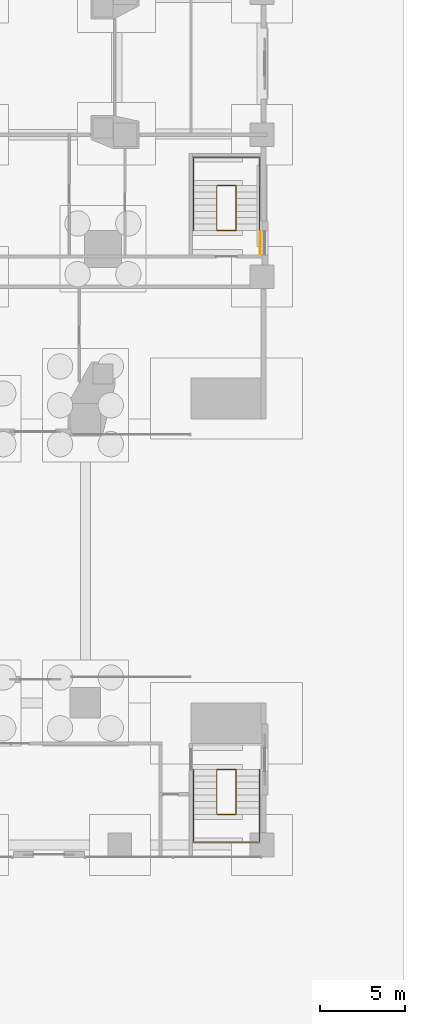
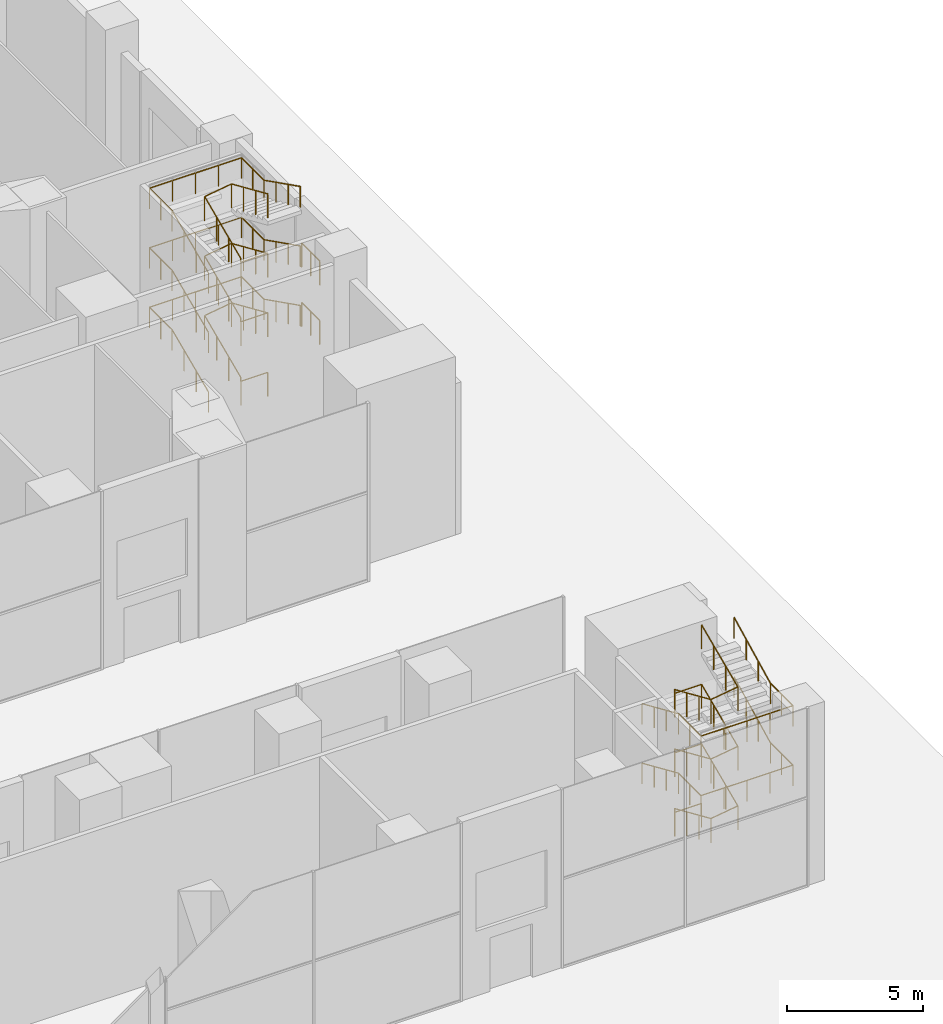
# One storey, part 28 of 31: 13 railings.
"""IFC4 building model written with IfcOpenShell, lengths in metres."""

from ifc_helpers import new_model, si_unit, direction, frame, origin, origin_2d, place, context, subcontext, project, spatial, circle, extrude, material, type_object, element, save


model = new_model("IFC4")

# Units and contexts
model_context = context("Model", 3, precision=1e-05, world=origin(), true_north=direction((0.0, 1.0)))
body_context = subcontext(model_context, "Body", "Model", "MODEL_VIEW")
ifc_project = project(units=[si_unit("LENGTHUNIT", "METRE"), si_unit("AREAUNIT", "SQUARE_METRE"), si_unit("VOLUMEUNIT", "CUBIC_METRE"), si_unit("PLANEANGLEUNIT", "RADIAN"), si_unit("MASSUNIT", "GRAM", prefix="KILO")], contexts=[model_context])

# Site, building, storey
site_placement = place(None, origin())
site = spatial("IfcSite", under=ifc_project, at=site_placement, CompositionType="ELEMENT")
building_placement = place(site_placement, origin())
building = spatial("IfcBuilding", under=site, at=building_placement, Name="Marenta Gate Hotel Tower", CompositionType="ELEMENT")
storey_placement = place(building_placement, origin())
storey = spatial("IfcBuildingStorey", under=building, at=storey_placement, Name="L00", CompositionType="ELEMENT", Elevation=0.0)

# Railings
ifc_material_1 = material(Name="Stainless steel", Category="steel")
railing_type_1 = type_object("IfcRailingType", Name="Core stair handrail 950", PredefinedType="HANDRAIL", material=ifc_material_1)
railing_1_placement = place(storey_placement, frame((33.75, -20.72998046875, 2.833251953125)))
element("IfcRailing", 1, at=railing_1_placement, inside=storey, type_object=railing_type_1, Name="HR-950 L00-KR-PX2-5", PredefinedType="HANDRAIL", context=body_context, shape_type="SweptSolid", body=[
    extrude(circle(Radius=0.02392578125, at=origin_2d()), frame((0.0, 0.0, 0.92578125), z_axis=(0.0, -0.915773020194, 0.401696123314), x_axis=(1.0, 0.0, 0.0)), (0.0, 0.0, 1.0), 2.904541015625),
    extrude(circle(Radius=0.02392578125, at=origin_2d()), frame((0.0, -2.659912109375, 2.0927734375), z_axis=(0.0, -1.0, 0.0), x_axis=(1.0, 0.0, 0.0)), (0.0, 0.0, 1.0), 1.66015625),
    extrude(circle(Radius=0.02392578125, at=origin_2d()), frame((0.0, -4.320068359375, 2.0927734375), z_axis=(1.0, 0.0, 0.0), x_axis=(0.0, 1.0, 0.0)), (0.0, 0.0, 1.0), 3.89990234375),
    extrude(circle(Radius=0.02392578125, at=origin_2d()), frame((3.89990234375, -4.320068359375, 2.0927734375), z_axis=(0.0, 1.0, 0.0), x_axis=(-1.0, 0.0, 0.0)), (0.0, 0.0, 1.0), 1.66015625),
    extrude(circle(Radius=0.02392578125, at=origin_2d()), frame((3.89990234375, -2.659912109375, 2.0927734375), z_axis=(0.0, 0.893983657746, 0.448099564475), x_axis=(-1.0, 0.0, 0.0)), (0.0, 0.0, 1.0), 2.975341796875),
    extrude(circle(Radius=0.02099609375, at=origin_2d()), origin(), (0.0, 0.0, 1.0), 0.90185546875),
    extrude(circle(Radius=0.02099609375, at=origin_2d()), frame((0.0, -0.88671875, 0.388916015625)), (0.0, 0.0, 1.0), 0.90185546875),
    extrude(circle(Radius=0.02099609375, at=origin_2d()), frame((0.0, -1.773193359375, 0.77783203125)), (0.0, 0.0, 1.0), 0.90185546875),
    extrude(circle(Radius=0.02099609375, at=origin_2d()), frame((0.0, -2.659912109375, 1.166748046875)), (0.0, 0.0, 1.0), 0.90185546875),
    extrude(circle(Radius=0.02099609375, at=origin_2d()), frame((0.0, -3.489990234375, 1.166748046875)), (0.0, 0.0, 1.0), 0.90185546875),
    extrude(circle(Radius=0.02099609375, at=origin_2d()), frame((0.0, -4.320068359375, 1.166748046875)), (0.0, 0.0, 1.0), 0.90185546875),
    extrude(circle(Radius=0.02099609375, at=origin_2d()), frame((0.97509765625, -4.320068359375, 1.166748046875)), (0.0, 0.0, 1.0), 0.90185546875),
    extrude(circle(Radius=0.02099609375, at=origin_2d()), frame((1.949951171875, -4.320068359375, 1.166748046875)), (0.0, 0.0, 1.0), 0.90185546875),
    extrude(circle(Radius=0.02099609375, at=origin_2d()), frame((2.9248046875, -4.320068359375, 1.166748046875)), (0.0, 0.0, 1.0), 0.90185546875),
    extrude(circle(Radius=0.02099609375, at=origin_2d()), frame((3.89990234375, -4.320068359375, 1.166748046875)), (0.0, 0.0, 1.0), 0.90185546875),
    extrude(circle(Radius=0.02099609375, at=origin_2d()), frame((3.89990234375, -3.489990234375, 1.166748046875)), (0.0, 0.0, 1.0), 0.90185546875),
    extrude(circle(Radius=0.02099609375, at=origin_2d()), frame((3.89990234375, -2.659912109375, 1.166748046875)), (0.0, 0.0, 1.0), 0.90185546875),
    extrude(circle(Radius=0.02099609375, at=origin_2d()), frame((3.89990234375, -1.773193359375, 1.611083984375)), (0.0, 0.0, 1.0), 0.90185546875),
    extrude(circle(Radius=0.02099609375, at=origin_2d()), frame((3.89990234375, -0.88671875, 2.0556640625)), (0.0, 0.0, 1.0), 0.90185546875),
    extrude(circle(Radius=0.02099609375, at=origin_2d()), frame((3.89990234375, 0.0, 2.5)), (0.0, 0.0, 1.0), 0.90185546875),
])
railing_2_placement = place(storey_placement, frame((33.75, -20.72998046875, 5.5)))
element("IfcRailing", 2, at=railing_2_placement, inside=storey, type_object=railing_type_1, Name="HR-950 L00-KR-PX2-8", PredefinedType="HANDRAIL", context=body_context, shape_type="SweptSolid", body=[
    extrude(circle(Radius=0.02392578125, at=origin_2d()), frame((0.0, 0.0, 0.92578125), z_axis=(0.0, -0.915773020194, 0.401696123314), x_axis=(1.0, 0.0, 0.0)), (0.0, 0.0, 1.0), 2.904541015625),
    extrude(circle(Radius=0.02392578125, at=origin_2d()), frame((0.0, -2.659912109375, 2.0927734375), z_axis=(0.0, -1.0, 0.0), x_axis=(1.0, 0.0, 0.0)), (0.0, 0.0, 1.0), 1.66015625),
    extrude(circle(Radius=0.02392578125, at=origin_2d()), frame((0.0, -4.320068359375, 2.0927734375), z_axis=(1.0, 0.0, 0.0), x_axis=(0.0, 1.0, 0.0)), (0.0, 0.0, 1.0), 3.89990234375),
    extrude(circle(Radius=0.02392578125, at=origin_2d()), frame((3.89990234375, -4.320068359375, 2.0927734375), z_axis=(0.0, 1.0, 0.0), x_axis=(-1.0, 0.0, 0.0)), (0.0, 0.0, 1.0), 1.66015625),
    extrude(circle(Radius=0.02392578125, at=origin_2d()), frame((3.89990234375, -2.659912109375, 2.0927734375), z_axis=(0.0, 0.893983657746, 0.448099564475), x_axis=(-1.0, 0.0, 0.0)), (0.0, 0.0, 1.0), 2.975341796875),
    extrude(circle(Radius=0.02099609375, at=origin_2d()), origin(), (0.0, 0.0, 1.0), 0.90185546875),
    extrude(circle(Radius=0.02099609375, at=origin_2d()), frame((0.0, -0.88671875, 0.388916015625)), (0.0, 0.0, 1.0), 0.90185546875),
    extrude(circle(Radius=0.02099609375, at=origin_2d()), frame((0.0, -1.773193359375, 0.77783203125)), (0.0, 0.0, 1.0), 0.90185546875),
    extrude(circle(Radius=0.02099609375, at=origin_2d()), frame((0.0, -2.659912109375, 1.166748046875)), (0.0, 0.0, 1.0), 0.90185546875),
    extrude(circle(Radius=0.02099609375, at=origin_2d()), frame((0.0, -3.489990234375, 1.166748046875)), (0.0, 0.0, 1.0), 0.90185546875),
    extrude(circle(Radius=0.02099609375, at=origin_2d()), frame((0.0, -4.320068359375, 1.166748046875)), (0.0, 0.0, 1.0), 0.90185546875),
    extrude(circle(Radius=0.02099609375, at=origin_2d()), frame((0.97509765625, -4.320068359375, 1.166748046875)), (0.0, 0.0, 1.0), 0.90185546875),
    extrude(circle(Radius=0.02099609375, at=origin_2d()), frame((1.949951171875, -4.320068359375, 1.166748046875)), (0.0, 0.0, 1.0), 0.90185546875),
    extrude(circle(Radius=0.02099609375, at=origin_2d()), frame((2.9248046875, -4.320068359375, 1.166748046875)), (0.0, 0.0, 1.0), 0.90185546875),
    extrude(circle(Radius=0.02099609375, at=origin_2d()), frame((3.89990234375, -4.320068359375, 1.166748046875)), (0.0, 0.0, 1.0), 0.90185546875),
    extrude(circle(Radius=0.02099609375, at=origin_2d()), frame((3.89990234375, -3.489990234375, 1.166748046875)), (0.0, 0.0, 1.0), 0.90185546875),
    extrude(circle(Radius=0.02099609375, at=origin_2d()), frame((3.89990234375, -2.659912109375, 1.166748046875)), (0.0, 0.0, 1.0), 0.90185546875),
    extrude(circle(Radius=0.02099609375, at=origin_2d()), frame((3.89990234375, -1.773193359375, 1.611083984375)), (0.0, 0.0, 1.0), 0.90185546875),
    extrude(circle(Radius=0.02099609375, at=origin_2d()), frame((3.89990234375, -0.88671875, 2.0556640625)), (0.0, 0.0, 1.0), 0.90185546875),
    extrude(circle(Radius=0.02099609375, at=origin_2d()), frame((3.89990234375, 0.0, 2.5)), (0.0, 0.0, 1.0), 0.90185546875),
])
railing_3_placement = place(storey_placement, frame((33.75, 11.1298828125, 0.166748046875)))
element("IfcRailing", 3, at=railing_3_placement, inside=storey, type_object=railing_type_1, Name="HR-950 L00-KR-PX7-2", PredefinedType="HANDRAIL", context=body_context, shape_type="SweptSolid", body=[
    extrude(circle(Radius=0.02392578125, at=origin_2d()), frame((0.0, 0.0, 0.92578125), z_axis=(0.0, 0.915817496131, 0.401594713337), x_axis=(-1.0, 0.0, 0.0)), (0.0, 0.0, 1.0), 2.90478515625),
    extrude(circle(Radius=0.02392578125, at=origin_2d()), frame((0.0, 2.66015625, 2.09228515625), z_axis=(0.0, 1.0, 0.0), x_axis=(-1.0, 0.0, 0.0)), (0.0, 0.0, 1.0), 1.659912109375),
    extrude(circle(Radius=0.02392578125, at=origin_2d()), frame((0.0, 4.320068359375, 2.09228515625), z_axis=(1.0, 0.0, 0.0), x_axis=(0.0, 1.0, 0.0)), (0.0, 0.0, 1.0), 3.89990234375),
    extrude(circle(Radius=0.02392578125, at=origin_2d()), frame((3.89990234375, 4.320068359375, 2.09228515625), z_axis=(0.0, -1.0, 0.0), x_axis=(1.0, 0.0, 0.0)), (0.0, 0.0, 1.0), 1.659912109375),
    extrude(circle(Radius=0.02392578125, at=origin_2d()), frame((3.89990234375, 2.66015625, 2.09228515625), z_axis=(0.0, -0.893967264428, 0.448132268567), x_axis=(1.0, 0.0, 0.0)), (0.0, 0.0, 1.0), 2.9755859375),
    extrude(circle(Radius=0.02099609375, at=origin_2d()), origin(), (0.0, 0.0, 1.0), 0.90185546875),
    extrude(circle(Radius=0.02099609375, at=origin_2d()), frame((0.0, 0.88671875, 0.388916015625)), (0.0, 0.0, 1.0), 0.90185546875),
    extrude(circle(Radius=0.02099609375, at=origin_2d()), frame((0.0, 1.7734375, 0.777587890625)), (0.0, 0.0, 1.0), 0.90185546875),
    extrude(circle(Radius=0.02099609375, at=origin_2d()), frame((0.0, 2.66015625, 1.16650390625)), (0.0, 0.0, 1.0), 0.90185546875),
    extrude(circle(Radius=0.02099609375, at=origin_2d()), frame((0.0, 3.490234375, 1.16650390625)), (0.0, 0.0, 1.0), 0.90185546875),
    extrude(circle(Radius=0.02099609375, at=origin_2d()), frame((0.0, 4.320068359375, 1.16650390625)), (0.0, 0.0, 1.0), 0.90185546875),
    extrude(circle(Radius=0.02099609375, at=origin_2d()), frame((0.97509765625, 4.320068359375, 1.16650390625)), (0.0, 0.0, 1.0), 0.90185546875),
    extrude(circle(Radius=0.02099609375, at=origin_2d()), frame((1.949951171875, 4.320068359375, 1.16650390625)), (0.0, 0.0, 1.0), 0.90185546875),
    extrude(circle(Radius=0.02099609375, at=origin_2d()), frame((2.9248046875, 4.320068359375, 1.16650390625)), (0.0, 0.0, 1.0), 0.90185546875),
    extrude(circle(Radius=0.02099609375, at=origin_2d()), frame((3.89990234375, 4.320068359375, 1.16650390625)), (0.0, 0.0, 1.0), 0.90185546875),
    extrude(circle(Radius=0.02099609375, at=origin_2d()), frame((3.89990234375, 3.490234375, 1.16650390625)), (0.0, 0.0, 1.0), 0.90185546875),
    extrude(circle(Radius=0.02099609375, at=origin_2d()), frame((3.89990234375, 2.66015625, 1.16650390625)), (0.0, 0.0, 1.0), 0.90185546875),
    extrude(circle(Radius=0.02099609375, at=origin_2d()), frame((3.89990234375, 1.7734375, 1.611083984375)), (0.0, 0.0, 1.0), 0.90185546875),
    extrude(circle(Radius=0.02099609375, at=origin_2d()), frame((3.89990234375, 0.88671875, 2.055419921875)), (0.0, 0.0, 1.0), 0.90185546875),
    extrude(circle(Radius=0.02099609375, at=origin_2d()), frame((3.89990234375, 0.0, 2.5)), (0.0, 0.0, 1.0), 0.90185546875),
])
railing_4_placement = place(storey_placement, frame((33.75, 11.1298828125, 2.833251953125)))
element("IfcRailing", 4, at=railing_4_placement, inside=storey, type_object=railing_type_1, Name="HR-950 L00-KR-PX7-5", PredefinedType="HANDRAIL", context=body_context, shape_type="SweptSolid", body=[
    extrude(circle(Radius=0.02392578125, at=origin_2d()), frame((0.0, 0.0, 0.92578125), z_axis=(0.0, 0.915786581632, 0.401665204994), x_axis=(-1.0, 0.0, 0.0)), (0.0, 0.0, 1.0), 2.90478515625),
    extrude(circle(Radius=0.02392578125, at=origin_2d()), frame((0.0, 2.66015625, 2.0927734375), z_axis=(0.0, 1.0, 0.0), x_axis=(-1.0, 0.0, 0.0)), (0.0, 0.0, 1.0), 1.659912109375),
    extrude(circle(Radius=0.02392578125, at=origin_2d()), frame((0.0, 4.320068359375, 2.0927734375), z_axis=(1.0, 0.0, 0.0), x_axis=(0.0, 1.0, 0.0)), (0.0, 0.0, 1.0), 3.89990234375),
    extrude(circle(Radius=0.02392578125, at=origin_2d()), frame((3.89990234375, 4.320068359375, 2.0927734375), z_axis=(0.0, -1.0, 0.0), x_axis=(1.0, 0.0, 0.0)), (0.0, 0.0, 1.0), 1.659912109375),
    extrude(circle(Radius=0.02392578125, at=origin_2d()), frame((3.89990234375, 2.66015625, 2.0927734375), z_axis=(0.0, -0.894000131919, 0.448066696073), x_axis=(1.0, 0.0, 0.0)), (0.0, 0.0, 1.0), 2.9755859375),
    extrude(circle(Radius=0.02099609375, at=origin_2d()), origin(), (0.0, 0.0, 1.0), 0.90185546875),
    extrude(circle(Radius=0.02099609375, at=origin_2d()), frame((0.0, 0.88671875, 0.388916015625)), (0.0, 0.0, 1.0), 0.90185546875),
    extrude(circle(Radius=0.02099609375, at=origin_2d()), frame((0.0, 1.7734375, 0.77783203125)), (0.0, 0.0, 1.0), 0.90185546875),
    extrude(circle(Radius=0.02099609375, at=origin_2d()), frame((0.0, 2.66015625, 1.166748046875)), (0.0, 0.0, 1.0), 0.90185546875),
    extrude(circle(Radius=0.02099609375, at=origin_2d()), frame((0.0, 3.490234375, 1.166748046875)), (0.0, 0.0, 1.0), 0.90185546875),
    extrude(circle(Radius=0.02099609375, at=origin_2d()), frame((0.0, 4.320068359375, 1.166748046875)), (0.0, 0.0, 1.0), 0.90185546875),
    extrude(circle(Radius=0.02099609375, at=origin_2d()), frame((0.97509765625, 4.320068359375, 1.166748046875)), (0.0, 0.0, 1.0), 0.90185546875),
    extrude(circle(Radius=0.02099609375, at=origin_2d()), frame((1.949951171875, 4.320068359375, 1.166748046875)), (0.0, 0.0, 1.0), 0.90185546875),
    extrude(circle(Radius=0.02099609375, at=origin_2d()), frame((2.9248046875, 4.320068359375, 1.166748046875)), (0.0, 0.0, 1.0), 0.90185546875),
    extrude(circle(Radius=0.02099609375, at=origin_2d()), frame((3.89990234375, 4.320068359375, 1.166748046875)), (0.0, 0.0, 1.0), 0.90185546875),
    extrude(circle(Radius=0.02099609375, at=origin_2d()), frame((3.89990234375, 3.490234375, 1.166748046875)), (0.0, 0.0, 1.0), 0.90185546875),
    extrude(circle(Radius=0.02099609375, at=origin_2d()), frame((3.89990234375, 2.66015625, 1.166748046875)), (0.0, 0.0, 1.0), 0.90185546875),
    extrude(circle(Radius=0.02099609375, at=origin_2d()), frame((3.89990234375, 1.7734375, 1.611083984375)), (0.0, 0.0, 1.0), 0.90185546875),
    extrude(circle(Radius=0.02099609375, at=origin_2d()), frame((3.89990234375, 0.88671875, 2.0556640625)), (0.0, 0.0, 1.0), 0.90185546875),
    extrude(circle(Radius=0.02099609375, at=origin_2d()), frame((3.89990234375, 0.0, 2.5)), (0.0, 0.0, 1.0), 0.90185546875),
])
railing_5_placement = place(storey_placement, frame((33.75, 11.1298828125, 5.5)))
element("IfcRailing", 5, at=railing_5_placement, inside=storey, type_object=railing_type_1, Name="HR-950 L00-KR-PX7-8", PredefinedType="HANDRAIL", context=body_context, shape_type="SweptSolid", body=[
    extrude(circle(Radius=0.02392578125, at=origin_2d()), frame((0.0, 0.0, 0.92578125), z_axis=(0.0, 0.915786581632, 0.401665204994), x_axis=(-1.0, 0.0, 0.0)), (0.0, 0.0, 1.0), 2.90478515625),
    extrude(circle(Radius=0.02392578125, at=origin_2d()), frame((0.0, 2.66015625, 2.0927734375), z_axis=(0.0, 1.0, 0.0), x_axis=(-1.0, 0.0, 0.0)), (0.0, 0.0, 1.0), 1.659912109375),
    extrude(circle(Radius=0.02392578125, at=origin_2d()), frame((0.0, 4.320068359375, 2.0927734375), z_axis=(1.0, 0.0, 0.0), x_axis=(0.0, 1.0, 0.0)), (0.0, 0.0, 1.0), 3.89990234375),
    extrude(circle(Radius=0.02392578125, at=origin_2d()), frame((3.89990234375, 4.320068359375, 2.0927734375), z_axis=(0.0, -1.0, 0.0), x_axis=(1.0, 0.0, 0.0)), (0.0, 0.0, 1.0), 1.659912109375),
    extrude(circle(Radius=0.02392578125, at=origin_2d()), frame((3.89990234375, 2.66015625, 2.0927734375), z_axis=(0.0, -0.894000131919, 0.448066696073), x_axis=(1.0, 0.0, 0.0)), (0.0, 0.0, 1.0), 2.9755859375),
    extrude(circle(Radius=0.02099609375, at=origin_2d()), origin(), (0.0, 0.0, 1.0), 0.90185546875),
    extrude(circle(Radius=0.02099609375, at=origin_2d()), frame((0.0, 0.88671875, 0.388916015625)), (0.0, 0.0, 1.0), 0.90185546875),
    extrude(circle(Radius=0.02099609375, at=origin_2d()), frame((0.0, 1.7734375, 0.77783203125)), (0.0, 0.0, 1.0), 0.90185546875),
    extrude(circle(Radius=0.02099609375, at=origin_2d()), frame((0.0, 2.66015625, 1.166748046875)), (0.0, 0.0, 1.0), 0.90185546875),
    extrude(circle(Radius=0.02099609375, at=origin_2d()), frame((0.0, 3.490234375, 1.166748046875)), (0.0, 0.0, 1.0), 0.90185546875),
    extrude(circle(Radius=0.02099609375, at=origin_2d()), frame((0.0, 4.320068359375, 1.166748046875)), (0.0, 0.0, 1.0), 0.90185546875),
    extrude(circle(Radius=0.02099609375, at=origin_2d()), frame((0.97509765625, 4.320068359375, 1.166748046875)), (0.0, 0.0, 1.0), 0.90185546875),
    extrude(circle(Radius=0.02099609375, at=origin_2d()), frame((1.949951171875, 4.320068359375, 1.166748046875)), (0.0, 0.0, 1.0), 0.90185546875),
    extrude(circle(Radius=0.02099609375, at=origin_2d()), frame((2.9248046875, 4.320068359375, 1.166748046875)), (0.0, 0.0, 1.0), 0.90185546875),
    extrude(circle(Radius=0.02099609375, at=origin_2d()), frame((3.89990234375, 4.320068359375, 1.166748046875)), (0.0, 0.0, 1.0), 0.90185546875),
    extrude(circle(Radius=0.02099609375, at=origin_2d()), frame((3.89990234375, 3.490234375, 1.166748046875)), (0.0, 0.0, 1.0), 0.90185546875),
    extrude(circle(Radius=0.02099609375, at=origin_2d()), frame((3.89990234375, 2.66015625, 1.166748046875)), (0.0, 0.0, 1.0), 0.90185546875),
    extrude(circle(Radius=0.02099609375, at=origin_2d()), frame((3.89990234375, 1.7734375, 1.611083984375)), (0.0, 0.0, 1.0), 0.90185546875),
    extrude(circle(Radius=0.02099609375, at=origin_2d()), frame((3.89990234375, 0.88671875, 2.0556640625)), (0.0, 0.0, 1.0), 0.90185546875),
    extrude(circle(Radius=0.02099609375, at=origin_2d()), frame((3.89990234375, 0.0, 2.5)), (0.0, 0.0, 1.0), 0.90185546875),
])
ifc_material_2 = material(Name="Stainless steel", Category="steel")
railing_type_2 = type_object("IfcRailingType", Name="Core stair well guard 1100", PredefinedType="GUARDRAIL", material=ifc_material_2)
railing_6_placement = place(storey_placement, frame((36.27001953125, -20.72998046875, 0.0)))
element("IfcRailing", 6, at=railing_6_placement, inside=storey, type_object=railing_type_2, Name="GR-1100 L00-KR-PX2-3", PredefinedType="GUARDRAIL", context=body_context, shape_type="SweptSolid", body=[
    extrude(circle(Radius=0.02392578125, at=origin_2d()), frame((0.0, 0.0, 1.076171875), z_axis=(-1.0, 0.0, 0.0), x_axis=(0.0, -1.0, 0.0)), (0.0, 0.0, 1.0), 1.14013671875),
    extrude(circle(Radius=0.02392578125, at=origin_2d()), frame((-1.14013671875, 0.0, 1.076171875), z_axis=(0.0, 0.0, 1.0), x_axis=(1.0, 0.0, 0.0)), (0.0, 0.0, 1.0), 0.166748046875),
    extrude(circle(Radius=0.02392578125, at=origin_2d()), frame((-1.14013671875, 0.0, 1.24267578125), z_axis=(0.0, -0.915803938995, 0.401625628317), x_axis=(1.0, 0.0, 0.0)), (0.0, 0.0, 1.0), 2.904541015625),
    extrude(circle(Radius=0.02392578125, at=origin_2d()), frame((-1.14013671875, -2.659912109375, 2.4091796875), z_axis=(0.989473647251, 0.0, 0.144713169394), x_axis=(0.0, 1.0, 0.0)), (0.0, 0.0, 1.0), 1.15234375),
    extrude(circle(Radius=0.02392578125, at=origin_2d()), frame((0.0, -2.659912109375, 2.576171875), z_axis=(0.0, 0.915773020194, 0.401696123314), x_axis=(-1.0, 0.0, 0.0)), (0.0, 0.0, 1.0), 2.904541015625),
    extrude(circle(Radius=0.02099609375, at=origin_2d()), origin(), (0.0, 0.0, 1.0), 1.052001953125),
    extrude(circle(Radius=0.02099609375, at=origin_2d()), frame((-1.14013671875, 0.0, 0.0)), (0.0, 0.0, 1.0), 1.052001953125),
    extrude(circle(Radius=0.02099609375, at=origin_2d()), frame((-1.14013671875, 0.0, 0.166748046875)), (0.0, 0.0, 1.0), 1.052001953125),
    extrude(circle(Radius=0.02099609375, at=origin_2d()), frame((-1.14013671875, -0.88671875, 0.5556640625)), (0.0, 0.0, 1.0), 1.052001953125),
    extrude(circle(Radius=0.02099609375, at=origin_2d()), frame((-1.14013671875, -1.773193359375, 0.9443359375)), (0.0, 0.0, 1.0), 1.052001953125),
    extrude(circle(Radius=0.02099609375, at=origin_2d()), frame((-1.14013671875, -2.659912109375, 1.333251953125)), (0.0, 0.0, 1.0), 1.052001953125),
    extrude(circle(Radius=0.02099609375, at=origin_2d()), frame((0.0, -2.659912109375, 1.5)), (0.0, 0.0, 1.0), 1.052001953125),
    extrude(circle(Radius=0.02099609375, at=origin_2d()), frame((0.0, -1.773193359375, 1.888916015625)), (0.0, 0.0, 1.0), 1.052001953125),
    extrude(circle(Radius=0.02099609375, at=origin_2d()), frame((0.0, -0.88671875, 2.27783203125)), (0.0, 0.0, 1.0), 1.052001953125),
    extrude(circle(Radius=0.02099609375, at=origin_2d()), frame((0.0, 0.0, 2.666748046875)), (0.0, 0.0, 1.0), 1.052001953125),
])
railing_7_placement = place(storey_placement, frame((36.27001953125, -20.72998046875, 2.666748046875)))
element("IfcRailing", 7, at=railing_7_placement, inside=storey, type_object=railing_type_2, Name="GR-1100 L00-KR-PX2-6", PredefinedType="GUARDRAIL", context=body_context, shape_type="SweptSolid", body=[
    extrude(circle(Radius=0.02392578125, at=origin_2d()), frame((0.0, 0.0, 1.076171875), z_axis=(-1.0, 0.0, 0.0), x_axis=(0.0, -1.0, 0.0)), (0.0, 0.0, 1.0), 1.14013671875),
    extrude(circle(Radius=0.02392578125, at=origin_2d()), frame((-1.14013671875, 0.0, 1.076171875), z_axis=(0.0, 0.0, 1.0), x_axis=(1.0, 0.0, 0.0)), (0.0, 0.0, 1.0), 0.16650390625),
    extrude(circle(Radius=0.02392578125, at=origin_2d()), frame((-1.14013671875, 0.0, 1.24267578125), z_axis=(0.0, -0.915773020194, 0.401696123314), x_axis=(1.0, 0.0, 0.0)), (0.0, 0.0, 1.0), 2.904541015625),
    extrude(circle(Radius=0.02392578125, at=origin_2d()), frame((-1.14013671875, -2.659912109375, 2.4091796875), z_axis=(0.989473647251, 0.0, 0.144713169394), x_axis=(0.0, 1.0, 0.0)), (0.0, 0.0, 1.0), 1.15234375),
    extrude(circle(Radius=0.02392578125, at=origin_2d()), frame((0.0, -2.659912109375, 2.576171875), z_axis=(0.0, 0.915803938995, 0.401625628317), x_axis=(-1.0, 0.0, 0.0)), (0.0, 0.0, 1.0), 2.904541015625),
    extrude(circle(Radius=0.02099609375, at=origin_2d()), origin(), (0.0, 0.0, 1.0), 1.052001953125),
    extrude(circle(Radius=0.02099609375, at=origin_2d()), frame((-1.14013671875, 0.0, 0.0)), (0.0, 0.0, 1.0), 1.052001953125),
    extrude(circle(Radius=0.02099609375, at=origin_2d()), frame((-1.14013671875, 0.0, 0.16650390625)), (0.0, 0.0, 1.0), 1.052001953125),
    extrude(circle(Radius=0.02099609375, at=origin_2d()), frame((-1.14013671875, -0.88671875, 0.555419921875)), (0.0, 0.0, 1.0), 1.052001953125),
    extrude(circle(Radius=0.02099609375, at=origin_2d()), frame((-1.14013671875, -1.773193359375, 0.9443359375)), (0.0, 0.0, 1.0), 1.052001953125),
    extrude(circle(Radius=0.02099609375, at=origin_2d()), frame((-1.14013671875, -2.659912109375, 1.333251953125)), (0.0, 0.0, 1.0), 1.052001953125),
    extrude(circle(Radius=0.02099609375, at=origin_2d()), frame((0.0, -2.659912109375, 1.5)), (0.0, 0.0, 1.0), 1.052001953125),
    extrude(circle(Radius=0.02099609375, at=origin_2d()), frame((0.0, -1.773193359375, 1.888916015625)), (0.0, 0.0, 1.0), 1.052001953125),
    extrude(circle(Radius=0.02099609375, at=origin_2d()), frame((0.0, -0.88671875, 2.277587890625)), (0.0, 0.0, 1.0), 1.052001953125),
    extrude(circle(Radius=0.02099609375, at=origin_2d()), frame((0.0, 0.0, 2.66650390625)), (0.0, 0.0, 1.0), 1.052001953125),
])
railing_8_placement = place(storey_placement, frame((36.27001953125, -20.72998046875, 5.333251953125)))
element("IfcRailing", 8, at=railing_8_placement, inside=storey, type_object=railing_type_2, Name="GR-1100 L00-KR-PX2-9", PredefinedType="GUARDRAIL", context=body_context, shape_type="SweptSolid", body=[
    extrude(circle(Radius=0.02392578125, at=origin_2d()), frame((0.0, 0.0, 1.076171875), z_axis=(-1.0, 0.0, 0.0), x_axis=(0.0, -1.0, 0.0)), (0.0, 0.0, 1.0), 1.14013671875),
    extrude(circle(Radius=0.02392578125, at=origin_2d()), frame((-1.14013671875, 0.0, 1.076171875), z_axis=(0.0, 0.0, 1.0), x_axis=(1.0, 0.0, 0.0)), (0.0, 0.0, 1.0), 0.166748046875),
    extrude(circle(Radius=0.02392578125, at=origin_2d()), frame((-1.14013671875, 0.0, 1.24267578125), z_axis=(0.0, -0.915773020194, 0.401696123314), x_axis=(1.0, 0.0, 0.0)), (0.0, 0.0, 1.0), 2.904541015625),
    extrude(circle(Radius=0.02392578125, at=origin_2d()), frame((-1.14013671875, -2.659912109375, 2.40966796875), z_axis=(0.989503965321, 0.0, 0.144505718276), x_axis=(0.0, 1.0, 0.0)), (0.0, 0.0, 1.0), 1.15234375),
    extrude(circle(Radius=0.02392578125, at=origin_2d()), frame((0.0, -2.659912109375, 2.576171875), z_axis=(0.0, 0.915773020194, 0.401696123314), x_axis=(-1.0, 0.0, 0.0)), (0.0, 0.0, 1.0), 2.904541015625),
    extrude(circle(Radius=0.02099609375, at=origin_2d()), origin(), (0.0, 0.0, 1.0), 1.052001953125),
    extrude(circle(Radius=0.02099609375, at=origin_2d()), frame((-1.14013671875, 0.0, 0.0)), (0.0, 0.0, 1.0), 1.052001953125),
    extrude(circle(Radius=0.02099609375, at=origin_2d()), frame((-1.14013671875, 0.0, 0.166748046875)), (0.0, 0.0, 1.0), 1.052001953125),
    extrude(circle(Radius=0.02099609375, at=origin_2d()), frame((-1.14013671875, -0.88671875, 0.5556640625)), (0.0, 0.0, 1.0), 1.052001953125),
    extrude(circle(Radius=0.02099609375, at=origin_2d()), frame((-1.14013671875, -1.773193359375, 0.944580078125)), (0.0, 0.0, 1.0), 1.052001953125),
    extrude(circle(Radius=0.02099609375, at=origin_2d()), frame((-1.14013671875, -2.659912109375, 1.33349609375)), (0.0, 0.0, 1.0), 1.052001953125),
    extrude(circle(Radius=0.02099609375, at=origin_2d()), frame((0.0, -2.659912109375, 1.5)), (0.0, 0.0, 1.0), 1.052001953125),
    extrude(circle(Radius=0.02099609375, at=origin_2d()), frame((0.0, -1.773193359375, 1.888916015625)), (0.0, 0.0, 1.0), 1.052001953125),
    extrude(circle(Radius=0.02099609375, at=origin_2d()), frame((0.0, -0.88671875, 2.27783203125)), (0.0, 0.0, 1.0), 1.052001953125),
    extrude(circle(Radius=0.02099609375, at=origin_2d()), frame((0.0, 0.0, 2.666748046875)), (0.0, 0.0, 1.0), 1.052001953125),
])
railing_9_placement = place(storey_placement, frame((36.27001953125, 11.1298828125, 0.0)))
element("IfcRailing", 9, at=railing_9_placement, inside=storey, type_object=railing_type_2, Name="GR-1100 L00-KR-PX7-3", PredefinedType="GUARDRAIL", context=body_context, shape_type="SweptSolid", body=[
    extrude(circle(Radius=0.02392578125, at=origin_2d()), frame((0.0, 0.0, 1.076171875), z_axis=(-1.0, 0.0, 0.0), x_axis=(0.0, -1.0, 0.0)), (0.0, 0.0, 1.0), 1.14013671875),
    extrude(circle(Radius=0.02392578125, at=origin_2d()), frame((-1.14013671875, 0.0, 1.076171875), z_axis=(0.0, 0.0, 1.0), x_axis=(1.0, 0.0, 0.0)), (0.0, 0.0, 1.0), 0.166748046875),
    extrude(circle(Radius=0.02392578125, at=origin_2d()), frame((-1.14013671875, 0.0, 1.24267578125), z_axis=(0.0, 0.915817496131, 0.401594713337), x_axis=(-1.0, 0.0, 0.0)), (0.0, 0.0, 1.0), 2.90478515625),
    extrude(circle(Radius=0.02392578125, at=origin_2d()), frame((-1.14013671875, 2.66015625, 2.4091796875), z_axis=(0.989473647251, 0.0, 0.144713169394), x_axis=(0.0, 1.0, 0.0)), (0.0, 0.0, 1.0), 1.15234375),
    extrude(circle(Radius=0.02392578125, at=origin_2d()), frame((0.0, 2.66015625, 2.576171875), z_axis=(0.0, -0.915786581632, 0.401665204994), x_axis=(1.0, 0.0, 0.0)), (0.0, 0.0, 1.0), 2.90478515625),
    extrude(circle(Radius=0.02099609375, at=origin_2d()), origin(), (0.0, 0.0, 1.0), 1.052001953125),
    extrude(circle(Radius=0.02099609375, at=origin_2d()), frame((-1.14013671875, 0.0, 0.0)), (0.0, 0.0, 1.0), 1.052001953125),
    extrude(circle(Radius=0.02099609375, at=origin_2d()), frame((-1.14013671875, 0.0, 0.166748046875)), (0.0, 0.0, 1.0), 1.052001953125),
    extrude(circle(Radius=0.02099609375, at=origin_2d()), frame((-1.14013671875, 0.88671875, 0.5556640625)), (0.0, 0.0, 1.0), 1.052001953125),
    extrude(circle(Radius=0.02099609375, at=origin_2d()), frame((-1.14013671875, 1.7734375, 0.9443359375)), (0.0, 0.0, 1.0), 1.052001953125),
    extrude(circle(Radius=0.02099609375, at=origin_2d()), frame((-1.14013671875, 2.66015625, 1.333251953125)), (0.0, 0.0, 1.0), 1.052001953125),
    extrude(circle(Radius=0.02099609375, at=origin_2d()), frame((0.0, 2.66015625, 1.5)), (0.0, 0.0, 1.0), 1.052001953125),
    extrude(circle(Radius=0.02099609375, at=origin_2d()), frame((0.0, 1.7734375, 1.888916015625)), (0.0, 0.0, 1.0), 1.052001953125),
    extrude(circle(Radius=0.02099609375, at=origin_2d()), frame((0.0, 0.88671875, 2.27783203125)), (0.0, 0.0, 1.0), 1.052001953125),
    extrude(circle(Radius=0.02099609375, at=origin_2d()), frame((0.0, 0.0, 2.666748046875)), (0.0, 0.0, 1.0), 1.052001953125),
])
railing_10_placement = place(storey_placement, frame((36.27001953125, 11.1298828125, 2.666748046875)))
element("IfcRailing", 10, at=railing_10_placement, inside=storey, type_object=railing_type_2, Name="GR-1100 L00-KR-PX7-6", PredefinedType="GUARDRAIL", context=body_context, shape_type="SweptSolid", body=[
    extrude(circle(Radius=0.02392578125, at=origin_2d()), frame((0.0, 0.0, 1.076171875), z_axis=(-1.0, 0.0, 0.0), x_axis=(0.0, -1.0, 0.0)), (0.0, 0.0, 1.0), 1.14013671875),
    extrude(circle(Radius=0.02392578125, at=origin_2d()), frame((-1.14013671875, 0.0, 1.076171875), z_axis=(0.0, 0.0, 1.0), x_axis=(1.0, 0.0, 0.0)), (0.0, 0.0, 1.0), 0.16650390625),
    extrude(circle(Radius=0.02392578125, at=origin_2d()), frame((-1.14013671875, 0.0, 1.24267578125), z_axis=(0.0, 0.915786581632, 0.401665204994), x_axis=(-1.0, 0.0, 0.0)), (0.0, 0.0, 1.0), 2.90478515625),
    extrude(circle(Radius=0.02392578125, at=origin_2d()), frame((-1.14013671875, 2.66015625, 2.4091796875), z_axis=(0.989473647251, 0.0, 0.144713169394), x_axis=(0.0, 1.0, 0.0)), (0.0, 0.0, 1.0), 1.15234375),
    extrude(circle(Radius=0.02392578125, at=origin_2d()), frame((0.0, 2.66015625, 2.576171875), z_axis=(0.0, -0.915817496131, 0.401594713337), x_axis=(1.0, 0.0, 0.0)), (0.0, 0.0, 1.0), 2.90478515625),
    extrude(circle(Radius=0.02099609375, at=origin_2d()), origin(), (0.0, 0.0, 1.0), 1.052001953125),
    extrude(circle(Radius=0.02099609375, at=origin_2d()), frame((-1.14013671875, 0.0, 0.0)), (0.0, 0.0, 1.0), 1.052001953125),
    extrude(circle(Radius=0.02099609375, at=origin_2d()), frame((-1.14013671875, 0.0, 0.16650390625)), (0.0, 0.0, 1.0), 1.052001953125),
    extrude(circle(Radius=0.02099609375, at=origin_2d()), frame((-1.14013671875, 0.88671875, 0.555419921875)), (0.0, 0.0, 1.0), 1.052001953125),
    extrude(circle(Radius=0.02099609375, at=origin_2d()), frame((-1.14013671875, 1.7734375, 0.9443359375)), (0.0, 0.0, 1.0), 1.052001953125),
    extrude(circle(Radius=0.02099609375, at=origin_2d()), frame((-1.14013671875, 2.66015625, 1.333251953125)), (0.0, 0.0, 1.0), 1.052001953125),
    extrude(circle(Radius=0.02099609375, at=origin_2d()), frame((0.0, 2.66015625, 1.5)), (0.0, 0.0, 1.0), 1.052001953125),
    extrude(circle(Radius=0.02099609375, at=origin_2d()), frame((0.0, 1.7734375, 1.888916015625)), (0.0, 0.0, 1.0), 1.052001953125),
    extrude(circle(Radius=0.02099609375, at=origin_2d()), frame((0.0, 0.88671875, 2.277587890625)), (0.0, 0.0, 1.0), 1.052001953125),
    extrude(circle(Radius=0.02099609375, at=origin_2d()), frame((0.0, 0.0, 2.66650390625)), (0.0, 0.0, 1.0), 1.052001953125),
])
railing_11_placement = place(storey_placement, frame((36.27001953125, 11.1298828125, 5.333251953125)))
element("IfcRailing", 11, at=railing_11_placement, inside=storey, type_object=railing_type_2, Name="GR-1100 L00-KR-PX7-9", PredefinedType="GUARDRAIL", context=body_context, shape_type="SweptSolid", body=[
    extrude(circle(Radius=0.02392578125, at=origin_2d()), frame((0.0, 0.0, 1.076171875), z_axis=(-1.0, 0.0, 0.0), x_axis=(0.0, -1.0, 0.0)), (0.0, 0.0, 1.0), 1.14013671875),
    extrude(circle(Radius=0.02392578125, at=origin_2d()), frame((-1.14013671875, 0.0, 1.076171875), z_axis=(0.0, 0.0, 1.0), x_axis=(1.0, 0.0, 0.0)), (0.0, 0.0, 1.0), 0.166748046875),
    extrude(circle(Radius=0.02392578125, at=origin_2d()), frame((-1.14013671875, 0.0, 1.24267578125), z_axis=(0.0, 0.915786581632, 0.401665204994), x_axis=(-1.0, 0.0, 0.0)), (0.0, 0.0, 1.0), 2.90478515625),
    extrude(circle(Radius=0.02392578125, at=origin_2d()), frame((-1.14013671875, 2.66015625, 2.40966796875), z_axis=(0.989503965321, 0.0, 0.144505718276), x_axis=(0.0, 1.0, 0.0)), (0.0, 0.0, 1.0), 1.15234375),
    extrude(circle(Radius=0.02392578125, at=origin_2d()), frame((0.0, 2.66015625, 2.576171875), z_axis=(0.0, -0.915786581632, 0.401665204994), x_axis=(1.0, 0.0, 0.0)), (0.0, 0.0, 1.0), 2.90478515625),
    extrude(circle(Radius=0.02099609375, at=origin_2d()), origin(), (0.0, 0.0, 1.0), 1.052001953125),
    extrude(circle(Radius=0.02099609375, at=origin_2d()), frame((-1.14013671875, 0.0, 0.0)), (0.0, 0.0, 1.0), 1.052001953125),
    extrude(circle(Radius=0.02099609375, at=origin_2d()), frame((-1.14013671875, 0.0, 0.166748046875)), (0.0, 0.0, 1.0), 1.052001953125),
    extrude(circle(Radius=0.02099609375, at=origin_2d()), frame((-1.14013671875, 0.88671875, 0.5556640625)), (0.0, 0.0, 1.0), 1.052001953125),
    extrude(circle(Radius=0.02099609375, at=origin_2d()), frame((-1.14013671875, 1.7734375, 0.944580078125)), (0.0, 0.0, 1.0), 1.052001953125),
    extrude(circle(Radius=0.02099609375, at=origin_2d()), frame((-1.14013671875, 2.66015625, 1.33349609375)), (0.0, 0.0, 1.0), 1.052001953125),
    extrude(circle(Radius=0.02099609375, at=origin_2d()), frame((0.0, 2.66015625, 1.5)), (0.0, 0.0, 1.0), 1.052001953125),
    extrude(circle(Radius=0.02099609375, at=origin_2d()), frame((0.0, 1.7734375, 1.888916015625)), (0.0, 0.0, 1.0), 1.052001953125),
    extrude(circle(Radius=0.02099609375, at=origin_2d()), frame((0.0, 0.88671875, 2.27783203125)), (0.0, 0.0, 1.0), 1.052001953125),
    extrude(circle(Radius=0.02099609375, at=origin_2d()), frame((0.0, 0.0, 2.666748046875)), (0.0, 0.0, 1.0), 1.052001953125),
])
for number, where, name in (
    (12, (37.679931640625, 9.75, 2.666748046875), "GR-1100 L00-KR-PX7-11"),
    (13, (37.679931640625, 9.75, 5.333251953125), "GR-1100 L00-KR-PX7-13"),
):
    element("IfcRailing", number, at=place(storey_placement, frame(where)), inside=storey, type_object=railing_type_2, Name=name, PredefinedType="GUARDRAIL", context=body_context, shape_type="SweptSolid", body=[
        extrude(circle(Radius=0.02392578125, at=origin_2d()), frame((0.0, 0.0, 1.076171875), z_axis=(0.0, 1.0, 0.0), x_axis=(-1.0, 0.0, 0.0)), (0.0, 0.0, 1.0), 1.330078125),
        extrude(circle(Radius=0.02099609375, at=origin_2d()), origin(), (0.0, 0.0, 1.0), 1.052001953125),
        extrude(circle(Radius=0.02099609375, at=origin_2d()), frame((0.0, 0.6650390625, 0.0)), (0.0, 0.0, 1.0), 1.052001953125),
        extrude(circle(Radius=0.02099609375, at=origin_2d()), frame((0.0, 1.330078125, 0.0)), (0.0, 0.0, 1.0), 1.052001953125),
    ])

save(model, "model.ifc")
